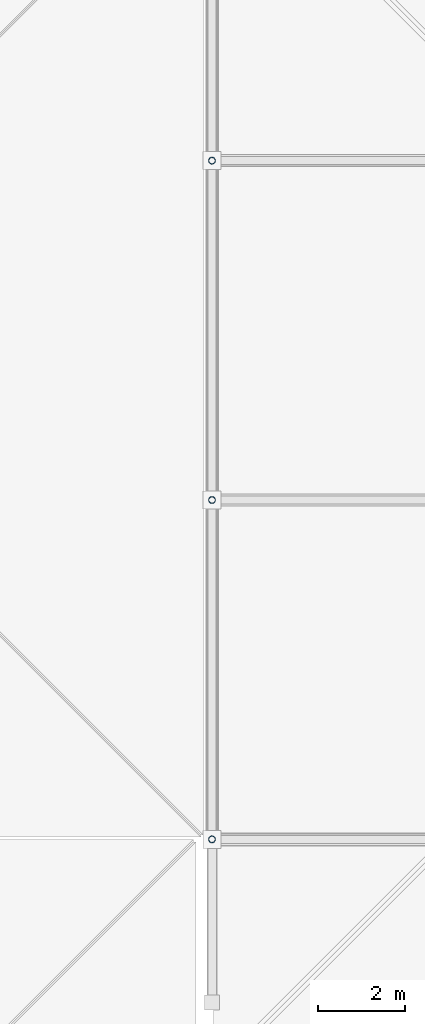
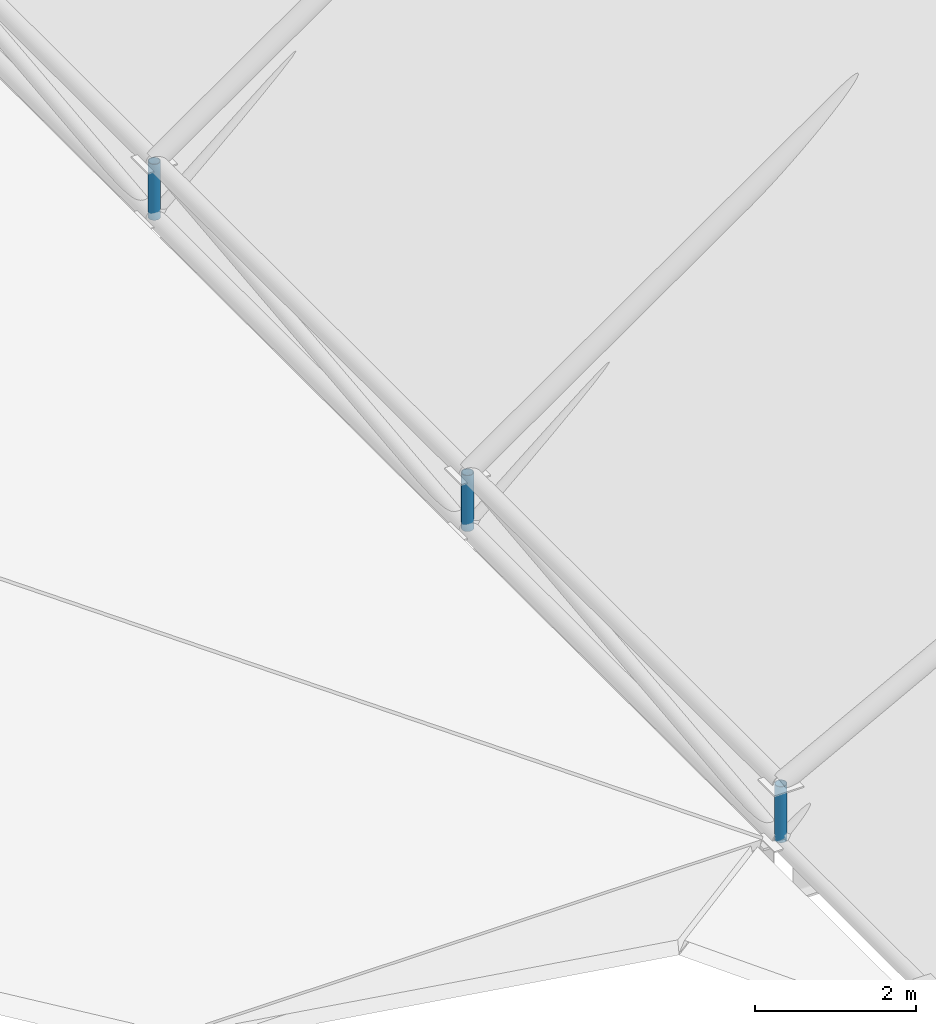
# One storey, part 46 of 77: 3 members.
"""IFC4 building model written with IfcOpenShell, lengths in metres."""

from ifc_helpers import new_model, si_unit, direction, frame, origin, origin_2d, place, context, subcontext, project, spatial, hollow_circle, extrude, material, material_profile, profile_set, type_object, element, save


model = new_model("IFC4")

# Units and contexts
model_context = context("Model", 3, precision=1e-05, world=origin(), true_north=direction((0.0, 1.0)))
body_context = subcontext(model_context, "Body", "Model", "MODEL_VIEW")
ifc_project = project(units=[si_unit("LENGTHUNIT", "METRE"), si_unit("AREAUNIT", "SQUARE_METRE"), si_unit("VOLUMEUNIT", "CUBIC_METRE"), si_unit("PLANEANGLEUNIT", "RADIAN"), si_unit("MASSUNIT", "GRAM", prefix="KILO")], contexts=[model_context])

# Site, building, storey
site_placement = place(None, origin())
site = spatial("IfcSite", under=ifc_project, at=site_placement, CompositionType="ELEMENT")
building_placement = place(site_placement, origin())
building = spatial("IfcBuilding", under=site, at=building_placement, Name="Nabrawat Pavilion Hospital", CompositionType="ELEMENT")
storey_placement = place(building_placement, frame((0.0, 0.0, 14.85009765625)))
storey = spatial("IfcBuildingStorey", under=building, at=storey_placement, Name="L03", CompositionType="ELEMENT", Elevation=14.85009765625)

# Members
ifc_material = material(Name="Steel S355", Category="steel")
ifc_material_profile = material_profile(ifc_material, hollow_circle(Radius=0.07958984375, WallThickness=0.008056640625, at=origin_2d()), Name="CHS 159x8")
ifc_profile_set = profile_set([ifc_material_profile], Name="Steel S355")
member_type = type_object("IfcMemberType", Name="Space Frame Vertical Web Post CHS 159x8", PredefinedType="BRACE", material=ifc_profile_set)
for number, where, z_axis, x_axis, name in (
    (1, (58.919921875, 15.60009765625, -0.050048828125), (0.0, 0.0, 1.0), (1.0, 0.0, 0.0), "Space Frame Diagonal Post 0005"),
    (2, (58.919921875, 23.39990234375, -0.050048828125), (0.0, 0.0, 1.0), (1.0, 0.0, 0.0), "Space Frame Diagonal Post 0012"),
    (3, (58.919921875, 31.199951171875, -0.050048828125), (0.0, 0.0, 1.0), (1.0, 0.0, 0.0), "Space Frame Diagonal Post 0019"),
):
    element("IfcMember", number, at=place(storey_placement, frame(where, z_axis=z_axis, x_axis=x_axis)), inside=storey, type_object=member_type, Name=name, PredefinedType="BRACE", context=body_context, shape_type="SweptSolid", body=[
        extrude(hollow_circle(Radius=0.07958984375, WallThickness=0.008056640625, at=origin_2d()), origin(), (0.0, 0.0, 1.0), 0.849853515625),
    ])

save(model, "model.ifc")
